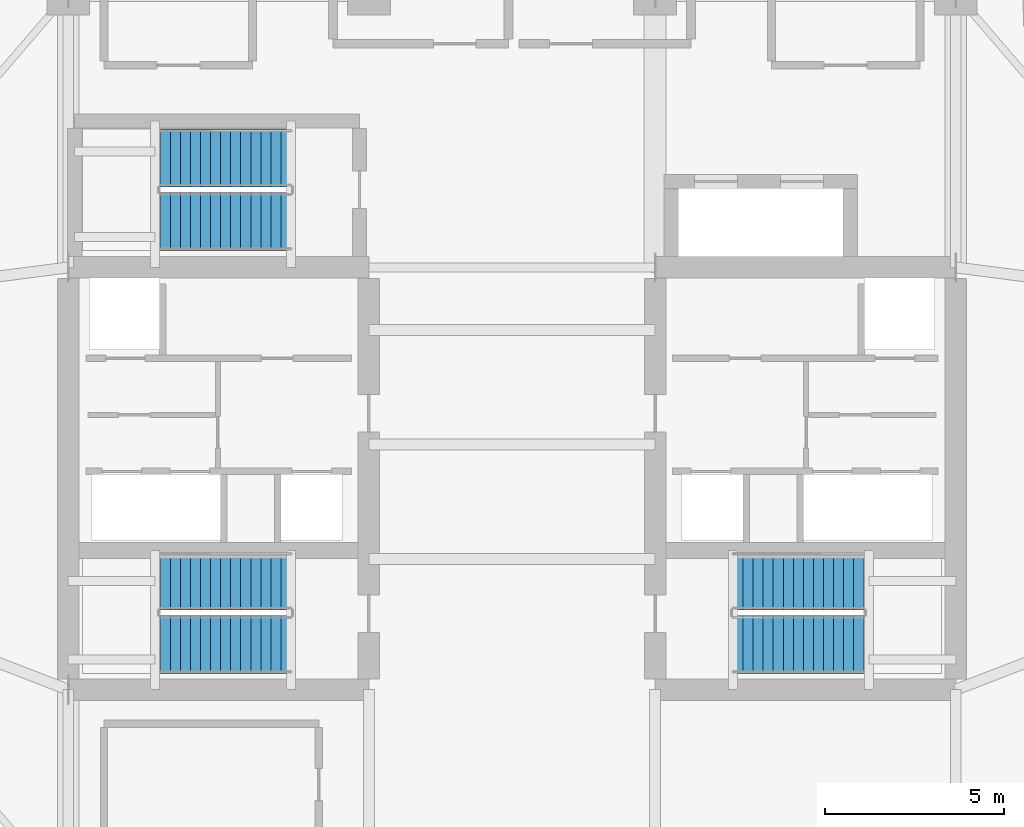
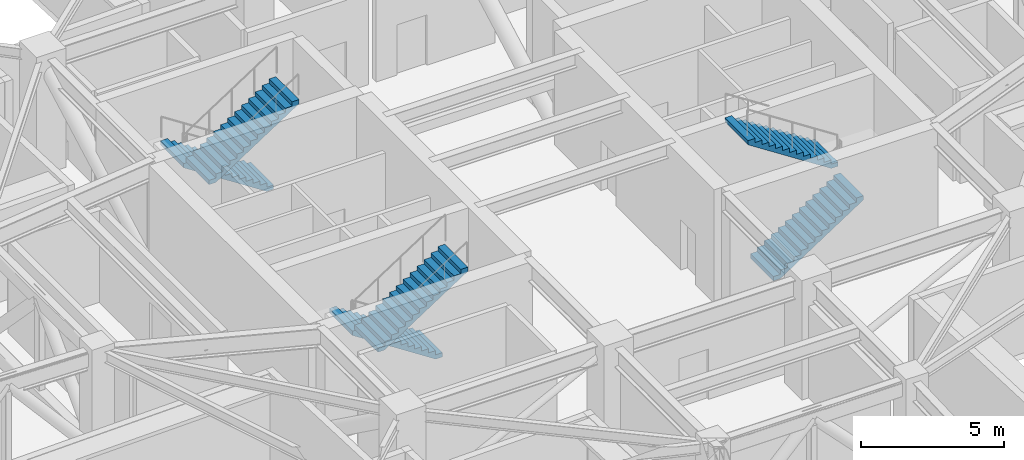
# One storey, part 12 of 17: 6 stair flights, 3 elements without a shape of their own.
"""IFC4 building model written with IfcOpenShell, lengths in metres."""

from ifc_helpers import new_model, si_unit, direction, frame, origin, place, context, subcontext, project, spatial, polyline, outline, extrude, material, layer, layer_set, type_object, element, aggregate, save


model = new_model("IFC4")

# Units and contexts
model_context = context("Model", 3, precision=1e-05, world=origin(), true_north=direction((0.0, 1.0)))
body_context = subcontext(model_context, "Body", "Model", "MODEL_VIEW")
ifc_project = project(units=[si_unit("LENGTHUNIT", "METRE"), si_unit("AREAUNIT", "SQUARE_METRE"), si_unit("VOLUMEUNIT", "CUBIC_METRE"), si_unit("PLANEANGLEUNIT", "RADIAN"), si_unit("MASSUNIT", "GRAM", prefix="KILO")], contexts=[model_context])

# Site, building, storey
site_placement = place(None, origin())
site = spatial("IfcSite", under=ifc_project, at=site_placement, CompositionType="ELEMENT")
building_placement = place(site_placement, origin())
building = spatial("IfcBuilding", under=site, at=building_placement, Name="Qingluan Cross Belvedere", CompositionType="ELEMENT")
storey_placement = place(building_placement, frame((0.0, 0.0, 191.699951171875)))
storey = spatial("IfcBuildingStorey", under=building, at=storey_placement, Name="L48", CompositionType="ELEMENT", Elevation=191.699951171875)

# Stair, stair flights
ifc_material_1 = material(Name="Concrete C40", Category="concrete")
stair_type = type_object("IfcStairType", Name="CoreDoglegStair_1620", PredefinedType="HALF_TURN_STAIR", material=ifc_material_1)
stair_1_placement = place(storey_placement, origin())
stair_1 = element("IfcStair", 1, at=stair_1_placement, inside=storey, type_object=stair_type, Name="L48 ST1", PredefinedType="HALF_TURN_STAIR")
ifc_material_2 = material(Name="Concrete C40", Category="concrete")
ifc_layer = layer(ifc_material_2, 0.179931640625, Name="StairFlight_RC180")
ifc_layer_set = layer_set([ifc_layer], Name="Concrete C40")
stair_flight_type = type_object("IfcStairFlightType", Name="StairFlight_RC180", PredefinedType="STRAIGHT", material=ifc_layer_set)
stair_flight_1_placement = place(storey_placement, frame((-6.179931640625, -3.81005859375, 0.0), z_axis=(0.0, 0.0, 1.0), x_axis=(-1.0, 0.0, 0.0)))
stair_flight_1 = element("IfcStairFlight", 2, at=stair_flight_1_placement, type_object=stair_flight_type, Name="ST1 flight 1", NumberOfRisers=14, NumberOfTreads=13, PredefinedType="STRAIGHT", RiserHeight=0.182142857, TreadLength=0.28, context=body_context, shape_type="SweptSolid", body=[
    extrude(outline(polyline([(0.0, 0.0), (0.0, 0.18212890625), (0.280029296875, 0.18212890625), (0.280029296875, 0.3642578125), (0.56005859375, 0.3642578125), (0.56005859375, 0.54638671875), (0.840087890625, 0.54638671875), (0.840087890625, 0.728515625), (1.1201171875, 0.728515625), (1.1201171875, 0.91064453125), (1.39990234375, 0.91064453125), (1.39990234375, 1.0927734375), (1.679931640625, 1.0927734375), (1.679931640625, 1.27490234375), (1.9599609375, 1.27490234375), (1.9599609375, 1.45703125), (2.239990234375, 1.45703125), (2.239990234375, 1.639404296875), (2.52001953125, 1.639404296875), (2.52001953125, 1.821533203125), (2.800048828125, 1.821533203125), (2.800048828125, 2.003662109375), (3.080078125, 2.003662109375), (3.080078125, 2.185791015625), (3.360107421875, 2.185791015625), (3.360107421875, 2.367919921875), (3.639892578125, 2.367919921875), (3.639892578125, 2.550048828125), (3.639892578125, 2.18896484375), (0.27490234375, 0.0), (0.0, 0.0)])), frame((0.0, 0.81005859375, 0.0), z_axis=(0.0, -1.0, 0.0), x_axis=(1.0, 0.0, 0.0)), (0.0, 0.0, 1.0), 1.6201171875),
])
stair_flight_2_placement = place(storey_placement, frame((-9.820068359375, -5.590087890625, 2.550048828125), z_axis=(0.0, 0.0, 1.0), x_axis=(1.0, 0.0, 0.0)))
stair_flight_2 = element("IfcStairFlight", 3, at=stair_flight_2_placement, type_object=stair_flight_type, Name="ST1 flight 2", NumberOfRisers=14, NumberOfTreads=13, PredefinedType="STRAIGHT", RiserHeight=0.182142857, TreadLength=0.28, context=body_context, shape_type="SweptSolid", body=[
    extrude(outline(polyline([(0.0, 0.0), (0.0, 0.18212890625), (0.280029296875, 0.18212890625), (0.280029296875, 0.3642578125), (0.56005859375, 0.3642578125), (0.56005859375, 0.54638671875), (0.840087890625, 0.54638671875), (0.840087890625, 0.728515625), (1.1201171875, 0.728515625), (1.1201171875, 0.91064453125), (1.39990234375, 0.91064453125), (1.39990234375, 1.0927734375), (1.679931640625, 1.0927734375), (1.679931640625, 1.27490234375), (1.9599609375, 1.27490234375), (1.9599609375, 1.45703125), (2.239990234375, 1.45703125), (2.239990234375, 1.639404296875), (2.52001953125, 1.639404296875), (2.52001953125, 1.821533203125), (2.800048828125, 1.821533203125), (2.800048828125, 2.003662109375), (3.080078125, 2.003662109375), (3.080078125, 2.185791015625), (3.360107421875, 2.185791015625), (3.360107421875, 2.367919921875), (3.639892578125, 2.367919921875), (3.639892578125, 2.550048828125), (3.639892578125, 2.18896484375), (0.27490234375, 0.0), (0.0, 0.0)])), frame((0.0, 0.81005859375, 0.0), z_axis=(0.0, -1.0, 0.0), x_axis=(1.0, 0.0, 0.0)), (0.0, 0.0, 1.0), 1.6201171875),
])
aggregate(stair_1, [stair_flight_1, stair_flight_2])

stair_2_placement = place(storey_placement, origin())
stair_2 = element("IfcStair", 4, at=stair_2_placement, inside=storey, type_object=stair_type, Name="L48 ST2", PredefinedType="HALF_TURN_STAIR")
stair_flight_3_placement = place(storey_placement, frame((6.179931640625, -5.590087890625, 0.0), z_axis=(0.0, 0.0, 1.0), x_axis=(1.0, 0.0, 0.0)))
stair_flight_3 = element("IfcStairFlight", 5, at=stair_flight_3_placement, type_object=stair_flight_type, Name="ST2 flight 1", NumberOfRisers=14, NumberOfTreads=13, PredefinedType="STRAIGHT", RiserHeight=0.182142857, TreadLength=0.28, context=body_context, shape_type="SweptSolid", body=[
    extrude(outline(polyline([(0.0, 0.0), (0.0, 0.18212890625), (0.280029296875, 0.18212890625), (0.280029296875, 0.3642578125), (0.56005859375, 0.3642578125), (0.56005859375, 0.54638671875), (0.840087890625, 0.54638671875), (0.840087890625, 0.728515625), (1.1201171875, 0.728515625), (1.1201171875, 0.91064453125), (1.39990234375, 0.91064453125), (1.39990234375, 1.0927734375), (1.679931640625, 1.0927734375), (1.679931640625, 1.27490234375), (1.9599609375, 1.27490234375), (1.9599609375, 1.45703125), (2.239990234375, 1.45703125), (2.239990234375, 1.639404296875), (2.52001953125, 1.639404296875), (2.52001953125, 1.821533203125), (2.800048828125, 1.821533203125), (2.800048828125, 2.003662109375), (3.080078125, 2.003662109375), (3.080078125, 2.185791015625), (3.360107421875, 2.185791015625), (3.360107421875, 2.367919921875), (3.639892578125, 2.367919921875), (3.639892578125, 2.550048828125), (3.639892578125, 2.18896484375), (0.27490234375, 0.0), (0.0, 0.0)])), frame((0.0, 0.81005859375, 0.0), z_axis=(0.0, -1.0, 0.0), x_axis=(1.0, 0.0, 0.0)), (0.0, 0.0, 1.0), 1.6201171875),
])
stair_flight_4_placement = place(storey_placement, frame((9.820068359375, -3.81005859375, 2.550048828125), z_axis=(0.0, 0.0, 1.0), x_axis=(-1.0, 0.0, 0.0)))
stair_flight_4 = element("IfcStairFlight", 6, at=stair_flight_4_placement, type_object=stair_flight_type, Name="ST2 flight 2", NumberOfRisers=14, NumberOfTreads=13, PredefinedType="STRAIGHT", RiserHeight=0.182142857, TreadLength=0.28, context=body_context, shape_type="SweptSolid", body=[
    extrude(outline(polyline([(0.0, 0.0), (0.0, 0.18212890625), (0.280029296875, 0.18212890625), (0.280029296875, 0.3642578125), (0.56005859375, 0.3642578125), (0.56005859375, 0.54638671875), (0.840087890625, 0.54638671875), (0.840087890625, 0.728515625), (1.1201171875, 0.728515625), (1.1201171875, 0.91064453125), (1.39990234375, 0.91064453125), (1.39990234375, 1.0927734375), (1.679931640625, 1.0927734375), (1.679931640625, 1.27490234375), (1.9599609375, 1.27490234375), (1.9599609375, 1.45703125), (2.239990234375, 1.45703125), (2.239990234375, 1.639404296875), (2.52001953125, 1.639404296875), (2.52001953125, 1.821533203125), (2.800048828125, 1.821533203125), (2.800048828125, 2.003662109375), (3.080078125, 2.003662109375), (3.080078125, 2.185791015625), (3.360107421875, 2.185791015625), (3.360107421875, 2.367919921875), (3.639892578125, 2.367919921875), (3.639892578125, 2.550048828125), (3.639892578125, 2.18896484375), (0.27490234375, 0.0), (0.0, 0.0)])), frame((0.0, 0.81005859375, 0.0), z_axis=(0.0, -1.0, 0.0), x_axis=(1.0, 0.0, 0.0)), (0.0, 0.0, 1.0), 1.6201171875),
])
aggregate(stair_2, [stair_flight_3, stair_flight_4])

stair_3_placement = place(storey_placement, origin())
stair_3 = element("IfcStair", 7, at=stair_3_placement, inside=storey, type_object=stair_type, Name="L48 ST3", PredefinedType="HALF_TURN_STAIR")
stair_flight_5_placement = place(storey_placement, frame((-6.179931640625, 8.010009765625, 0.0), z_axis=(0.0, 0.0, 1.0), x_axis=(-1.0, 0.0, 0.0)))
stair_flight_5 = element("IfcStairFlight", 8, at=stair_flight_5_placement, type_object=stair_flight_type, Name="ST3 flight 1", NumberOfRisers=14, NumberOfTreads=13, PredefinedType="STRAIGHT", RiserHeight=0.182142857, TreadLength=0.28, context=body_context, shape_type="SweptSolid", body=[
    extrude(outline(polyline([(0.0, 0.0), (0.0, 0.18212890625), (0.280029296875, 0.18212890625), (0.280029296875, 0.3642578125), (0.56005859375, 0.3642578125), (0.56005859375, 0.54638671875), (0.840087890625, 0.54638671875), (0.840087890625, 0.728515625), (1.1201171875, 0.728515625), (1.1201171875, 0.91064453125), (1.39990234375, 0.91064453125), (1.39990234375, 1.0927734375), (1.679931640625, 1.0927734375), (1.679931640625, 1.27490234375), (1.9599609375, 1.27490234375), (1.9599609375, 1.45703125), (2.239990234375, 1.45703125), (2.239990234375, 1.639404296875), (2.52001953125, 1.639404296875), (2.52001953125, 1.821533203125), (2.800048828125, 1.821533203125), (2.800048828125, 2.003662109375), (3.080078125, 2.003662109375), (3.080078125, 2.185791015625), (3.360107421875, 2.185791015625), (3.360107421875, 2.367919921875), (3.639892578125, 2.367919921875), (3.639892578125, 2.550048828125), (3.639892578125, 2.18896484375), (0.27490234375, 0.0), (0.0, 0.0)])), frame((0.0, 0.81005859375, 0.0), z_axis=(0.0, -1.0, 0.0), x_axis=(1.0, 0.0, 0.0)), (0.0, 0.0, 1.0), 1.6201171875),
])
stair_flight_6_placement = place(storey_placement, frame((-9.820068359375, 6.22998046875, 2.550048828125), z_axis=(0.0, 0.0, 1.0), x_axis=(1.0, 0.0, 0.0)))
stair_flight_6 = element("IfcStairFlight", 9, at=stair_flight_6_placement, type_object=stair_flight_type, Name="ST3 flight 2", NumberOfRisers=14, NumberOfTreads=13, PredefinedType="STRAIGHT", RiserHeight=0.182142857, TreadLength=0.28, context=body_context, shape_type="SweptSolid", body=[
    extrude(outline(polyline([(0.0, 0.0), (0.0, 0.18212890625), (0.280029296875, 0.18212890625), (0.280029296875, 0.3642578125), (0.56005859375, 0.3642578125), (0.56005859375, 0.54638671875), (0.840087890625, 0.54638671875), (0.840087890625, 0.728515625), (1.1201171875, 0.728515625), (1.1201171875, 0.91064453125), (1.39990234375, 0.91064453125), (1.39990234375, 1.0927734375), (1.679931640625, 1.0927734375), (1.679931640625, 1.27490234375), (1.9599609375, 1.27490234375), (1.9599609375, 1.45703125), (2.239990234375, 1.45703125), (2.239990234375, 1.639404296875), (2.52001953125, 1.639404296875), (2.52001953125, 1.821533203125), (2.800048828125, 1.821533203125), (2.800048828125, 2.003662109375), (3.080078125, 2.003662109375), (3.080078125, 2.185791015625), (3.360107421875, 2.185791015625), (3.360107421875, 2.367919921875), (3.639892578125, 2.367919921875), (3.639892578125, 2.550048828125), (3.639892578125, 2.18896484375), (0.27490234375, 0.0), (0.0, 0.0)])), frame((0.0, 0.81005859375, 0.0), z_axis=(0.0, -1.0, 0.0), x_axis=(1.0, 0.0, 0.0)), (0.0, 0.0, 1.0), 1.6201171875),
])
aggregate(stair_3, [stair_flight_5, stair_flight_6])

save(model, "model.ifc")
